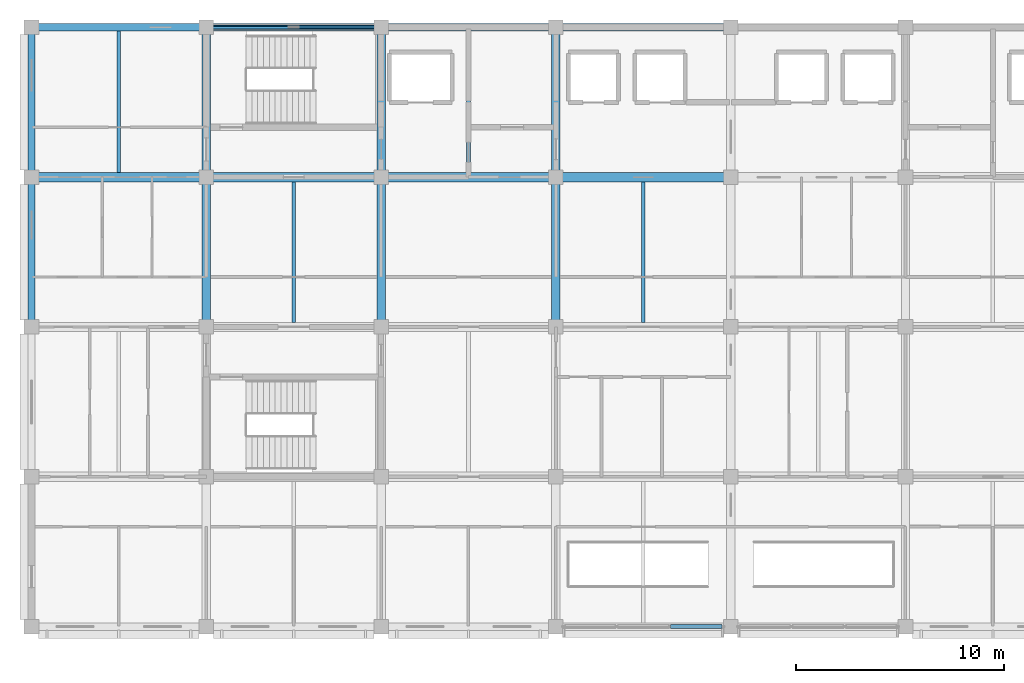
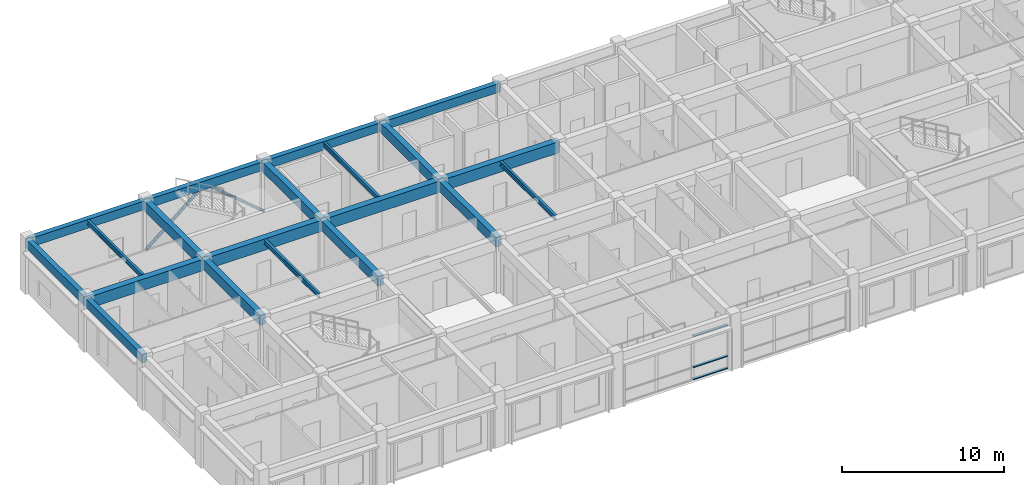
# One storey, part 3 of 17: 20 beams, 5 members, 1 element without a shape of its own.
"""IFC4 building model written with IfcOpenShell, lengths in metres."""

from ifc_helpers import new_model, si_unit, direction, frame, origin, origin_2d, place, context, subcontext, project, spatial, rectangle, hollow_circle, i_section, extrude, material, layer, layer_set, material_profile, profile_set, type_object, element, aggregate, save


model = new_model("IFC4")

# Units and contexts
model_context = context("Model", 3, precision=1e-05, world=origin(), true_north=direction((0.0, 1.0)))
body_context = subcontext(model_context, "Body", "Model", "MODEL_VIEW")
ifc_project = project(units=[si_unit("LENGTHUNIT", "METRE"), si_unit("AREAUNIT", "SQUARE_METRE"), si_unit("VOLUMEUNIT", "CUBIC_METRE"), si_unit("PLANEANGLEUNIT", "RADIAN"), si_unit("MASSUNIT", "GRAM", prefix="KILO")], contexts=[model_context])

# Site, building, storey
site_placement = place(None, origin())
site = spatial("IfcSite", under=ifc_project, at=site_placement, CompositionType="ELEMENT")
building_placement = place(site_placement, origin())
building = spatial("IfcBuilding", under=site, at=building_placement, Name="Chengyuan Square Courthouse", CompositionType="ELEMENT")
storey_placement = place(building_placement, frame((0.0, 0.0, 51.89990234375)))
storey = spatial("IfcBuildingStorey", under=building, at=storey_placement, Name="L12", CompositionType="ELEMENT", Elevation=51.89990234375)

# Beams
ifc_material_1 = material(Name="Concrete C40", Category="concrete")
ifc_material_profile_1 = material_profile(ifc_material_1, rectangle(XDim=0.449951171875, YDim=0.85009765625, at=origin_2d()), Name="RC-BM-450x850")
ifc_profile_set_1 = profile_set([ifc_material_profile_1], Name="Concrete C40")
beam_type_1 = type_object("IfcBeamType", Name="BM-01", PredefinedType="USERDEFINED", material=ifc_profile_set_1)
beam_1_placement = place(storey_placement, frame((50.39990234375, 100.800048828125, 3.53515625), z_axis=(1.0, 0.0, 0.0), x_axis=(0.0, 1.0, 0.0)))
element("IfcBeam", 1, at=beam_1_placement, inside=storey, type_object=beam_type_1, Name="Girder BM-L12-4270", ObjectType="GIRDER", PredefinedType="USERDEFINED", context=body_context, shape_type="SweptSolid", body=[
    extrude(rectangle(XDim=0.449951171875, YDim=0.85009765625, at=origin_2d()), origin(), (0.0, 0.0, 1.0), 8.400146484375),
])
beam_2_placement = place(storey_placement, frame((58.800048828125, 100.800048828125, 3.53515625), z_axis=(1.0, 0.0, 0.0), x_axis=(0.0, 1.0, 0.0)))
element("IfcBeam", 2, at=beam_2_placement, inside=storey, type_object=beam_type_1, Name="Girder BM-L12-4271", ObjectType="GIRDER", PredefinedType="USERDEFINED", context=body_context, shape_type="SweptSolid", body=[
    extrude(rectangle(XDim=0.449951171875, YDim=0.85009765625, at=origin_2d()), origin(), (0.0, 0.0, 1.0), 8.39990234375),
])
beam_3_placement = place(storey_placement, frame((67.199951171875, 100.800048828125, 3.53515625), z_axis=(1.0, 0.0, 0.0), x_axis=(0.0, 1.0, 0.0)))
element("IfcBeam", 3, at=beam_3_placement, inside=storey, type_object=beam_type_1, Name="Girder BM-L12-4272", ObjectType="GIRDER", PredefinedType="USERDEFINED", context=body_context, shape_type="SweptSolid", body=[
    extrude(rectangle(XDim=0.449951171875, YDim=0.85009765625, at=origin_2d()), origin(), (0.0, 0.0, 1.0), 8.400146484375),
])
beam_4_placement = place(storey_placement, frame((75.60009765625, 100.800048828125, 3.53515625), z_axis=(1.0, 0.0, 0.0), x_axis=(0.0, 1.0, 0.0)))
element("IfcBeam", 4, at=beam_4_placement, inside=storey, type_object=beam_type_1, Name="Girder BM-L12-4273", ObjectType="GIRDER", PredefinedType="USERDEFINED", context=body_context, shape_type="SweptSolid", body=[
    extrude(rectangle(XDim=0.449951171875, YDim=0.85009765625, at=origin_2d()), origin(), (0.0, 0.0, 1.0), 8.39990234375),
])
ifc_material_profile_2 = material_profile(ifc_material_1, rectangle(XDim=0.39990234375, YDim=0.75, at=origin_2d()), Name="RC-BM-400x750")
ifc_profile_set_2 = profile_set([ifc_material_profile_2], Name="Concrete C40")
beam_type_2 = type_object("IfcBeamType", Name="BM-02", PredefinedType="USERDEFINED", material=ifc_profile_set_2)
for number, where, z_axis, x_axis, name in (
    (5, (58.800048828125, 93.60009765625, 3.585205078125), (0.0, 1.0, 0.0), (-1.0, 0.0, 0.0), "Girder BM-L12-4292"),
    (6, (58.800048828125, 100.800048828125, 3.585205078125), (0.0, 1.0, 0.0), (-1.0, 0.0, 0.0), "Girder BM-L12-4293"),
    (7, (67.199951171875, 93.60009765625, 3.585205078125), (0.0, 1.0, 0.0), (-1.0, 0.0, 0.0), "Girder BM-L12-4296"),
    (8, (67.199951171875, 100.800048828125, 3.585205078125), (0.0, 1.0, 0.0), (-1.0, 0.0, 0.0), "Girder BM-L12-4297"),
    (9, (75.60009765625, 93.60009765625, 3.585205078125), (0.0, 1.0, 0.0), (-1.0, 0.0, 0.0), "Girder BM-L12-4300"),
    (10, (75.60009765625, 100.800048828125, 3.585205078125), (0.0, 1.0, 0.0), (-1.0, 0.0, 0.0), "Girder BM-L12-4301"),
):
    element("IfcBeam", number, at=place(storey_placement, frame(where, z_axis=z_axis, x_axis=x_axis)), inside=storey, type_object=beam_type_2, Name=name, ObjectType="GIRDER", PredefinedType="USERDEFINED", context=body_context, shape_type="SweptSolid", body=[
        extrude(rectangle(XDim=0.39990234375, YDim=0.75, at=origin_2d()), origin(), (0.0, 0.0, 1.0), 7.199951171875),
    ])
ifc_material_profile_3 = material_profile(ifc_material_1, rectangle(XDim=0.35009765625, YDim=0.64990234375, at=origin_2d()), Name="RC-BM-350x650")
ifc_profile_set_3 = profile_set([ifc_material_profile_3], Name="Concrete C40")
beam_type_3 = type_object("IfcBeamType", Name="BM-03", PredefinedType="SPANDREL", material=ifc_profile_set_3)
beam_5_placement = place(storey_placement, frame((50.39990234375, 108.0, 3.635009765625), z_axis=(1.0, 0.0, 0.0), x_axis=(0.0, 1.0, 0.0)))
element("IfcBeam", 11, at=beam_5_placement, inside=storey, type_object=beam_type_3, Name="Girder BM-L12-4278", PredefinedType="SPANDREL", context=body_context, shape_type="SweptSolid", body=[
    extrude(rectangle(XDim=0.35009765625, YDim=0.64990234375, at=origin_2d()), origin(), (0.0, 0.0, 1.0), 8.400146484375),
])
beam_6_placement = place(storey_placement, frame((58.800048828125, 108.0, 3.635009765625), z_axis=(1.0, 0.0, 0.0), x_axis=(0.0, 1.0, 0.0)))
element("IfcBeam", 12, at=beam_6_placement, inside=storey, type_object=beam_type_3, Name="Girder BM-L12-4279", PredefinedType="SPANDREL", context=body_context, shape_type="SweptSolid", body=[
    extrude(rectangle(XDim=0.35009765625, YDim=0.64990234375, at=origin_2d()), origin(), (0.0, 0.0, 1.0), 8.39990234375),
])
beam_7_placement = place(storey_placement, frame((67.199951171875, 108.0, 3.635009765625), z_axis=(1.0, 0.0, 0.0), x_axis=(0.0, 1.0, 0.0)))
element("IfcBeam", 13, at=beam_7_placement, inside=storey, type_object=beam_type_3, Name="Girder BM-L12-4280", PredefinedType="SPANDREL", context=body_context, shape_type="SweptSolid", body=[
    extrude(rectangle(XDim=0.35009765625, YDim=0.64990234375, at=origin_2d()), origin(), (0.0, 0.0, 1.0), 8.400146484375),
])
beam_8_placement = place(storey_placement, frame((75.60009765625, 108.0, 3.635009765625), z_axis=(1.0, 0.0, 0.0), x_axis=(0.0, 1.0, 0.0)))
element("IfcBeam", 14, at=beam_8_placement, inside=storey, type_object=beam_type_3, Name="Girder BM-L12-4281", PredefinedType="SPANDREL", context=body_context, shape_type="SweptSolid", body=[
    extrude(rectangle(XDim=0.35009765625, YDim=0.64990234375, at=origin_2d()), origin(), (0.0, 0.0, 1.0), 8.39990234375),
])
for number, where, z_axis, x_axis, name in (
    (15, (50.39990234375, 93.60009765625, 3.635009765625), (0.0, 1.0, 0.0), (-1.0, 0.0, 0.0), "Girder BM-L12-4288"),
    (16, (50.39990234375, 100.800048828125, 3.635009765625), (0.0, 1.0, 0.0), (-1.0, 0.0, 0.0), "Girder BM-L12-4289"),
):
    element("IfcBeam", number, at=place(storey_placement, frame(where, z_axis=z_axis, x_axis=x_axis)), inside=storey, type_object=beam_type_3, Name=name, PredefinedType="SPANDREL", context=body_context, shape_type="SweptSolid", body=[
        extrude(rectangle(XDim=0.35009765625, YDim=0.64990234375, at=origin_2d()), origin(), (0.0, 0.0, 1.0), 7.199951171875),
    ])
ifc_material_2 = material(Name="Steel Q355B", Category="steel")
ifc_material_profile_4 = material_profile(ifc_material_2, i_section(OverallWidth=0.175048828125, OverallDepth=0.35009765625, WebThickness=0.007080078125, FlangeThickness=0.010986328125, at=origin_2d()), Name="HN 350x175x7x11")
ifc_profile_set_4 = profile_set([ifc_material_profile_4], Name="Steel Q355B")
beam_type_4 = type_object("IfcBeamType", Name="BM-08", PredefinedType="BEAM", material=ifc_profile_set_4)
beam_9_placement = place(storey_placement, frame((54.60009765625, 101.02490234375, 3.78515625), z_axis=(0.0, 1.0, 0.0), x_axis=(-1.0, 0.0, 0.0)))
element("IfcBeam", 17, at=beam_9_placement, inside=storey, type_object=beam_type_4, Name="Secondary Floor Beam SBM-L12-4323", PredefinedType="BEAM", context=body_context, shape_type="SweptSolid", body=[
    extrude(i_section(OverallWidth=0.175048828125, OverallDepth=0.35009765625, WebThickness=0.007080078125, FlangeThickness=0.010986328125, at=origin_2d()), origin(), (0.0, 0.0, 1.0), 6.800048828125),
])
beam_10_placement = place(storey_placement, frame((63.0, 93.824951171875, 3.78515625), z_axis=(0.0, 1.0, 0.0), x_axis=(-1.0, 0.0, 0.0)))
element("IfcBeam", 18, at=beam_10_placement, inside=storey, type_object=beam_type_4, Name="Secondary Floor Beam SBM-L12-4325", PredefinedType="BEAM", context=body_context, shape_type="SweptSolid", body=[
    extrude(i_section(OverallWidth=0.175048828125, OverallDepth=0.35009765625, WebThickness=0.007080078125, FlangeThickness=0.010986328125, at=origin_2d()), origin(), (0.0, 0.0, 1.0), 6.75),
])
beam_11_placement = place(storey_placement, frame((71.39990234375, 101.02490234375, 3.78515625), z_axis=(0.0, 1.0, 0.0), x_axis=(-1.0, 0.0, 0.0)))
element("IfcBeam", 19, at=beam_11_placement, inside=storey, type_object=beam_type_4, Name="Secondary Floor Beam SBM-L12-4327", PredefinedType="BEAM", context=body_context, shape_type="SweptSolid", body=[
    extrude(i_section(OverallWidth=0.175048828125, OverallDepth=0.35009765625, WebThickness=0.007080078125, FlangeThickness=0.010986328125, at=origin_2d()), origin(), (0.0, 0.0, 1.0), 6.800048828125),
])
beam_12_placement = place(storey_placement, frame((79.800048828125, 93.824951171875, 3.78515625), z_axis=(0.0, 1.0, 0.0), x_axis=(-1.0, 0.0, 0.0)))
element("IfcBeam", 20, at=beam_12_placement, inside=storey, type_object=beam_type_4, Name="Secondary Floor Beam SBM-L12-4329", PredefinedType="BEAM", context=body_context, shape_type="SweptSolid", body=[
    extrude(i_section(OverallWidth=0.175048828125, OverallDepth=0.35009765625, WebThickness=0.007080078125, FlangeThickness=0.010986328125, at=origin_2d()), origin(), (0.0, 0.0, 1.0), 6.75),
])

# Members
ifc_material_profile_5 = material_profile(ifc_material_2, hollow_circle(Radius=0.109619140625, WallThickness=0.008056640625, at=origin_2d()), Name="CHS 219x8")
ifc_profile_set_5 = profile_set([ifc_material_profile_5], Name="Steel Q355B")
member_type_1 = type_object("IfcMemberType", Name="BR-02", PredefinedType="BRACE", material=ifc_profile_set_5)
for number, where, z_axis, x_axis, name in (
    (21, (58.800048828125, 108.0, 0.10009765625), (0.767317473151, 0.0, 0.641267413329), (0.0, 1.0, 0.0), "Steel Chevron Brace BR-L12-045"),
    (22, (67.199951171875, 108.0, 0.10009765625), (-0.767317473151, 0.0, 0.641267413329), (0.0, -1.0, 0.0), "Steel Chevron Brace BR-L12-046"),
):
    element("IfcMember", number, at=place(storey_placement, frame(where, z_axis=z_axis, x_axis=x_axis)), inside=storey, type_object=member_type_1, Name=name, PredefinedType="BRACE", context=body_context, shape_type="SweptSolid", body=[
        extrude(hollow_circle(Radius=0.109619140625, WallThickness=0.008056640625, at=origin_2d()), origin(), (0.0, 0.0, 1.0), 5.4736328125),
    ])

# Curtain wall, members
ifc_material_3 = material(Name="Unitised Aluminium and Triple Low-E Glass", Category="aluminium")
ifc_layer = layer(ifc_material_3, 0.179931640625)
ifc_layer_set = layer_set([ifc_layer], Name="Unitised Aluminium and Triple Low-E Glass")
curtain_wall_type = type_object("IfcCurtainWallType", Name="CW-10", PredefinedType="USERDEFINED", material=ifc_layer_set)
curtain_wall_placement = place(storey_placement, origin())
curtain_wall = element("IfcCurtainWall", 23, at=curtain_wall_placement, inside=storey, type_object=curtain_wall_type, Name="Unitised Curtain Wall CW-L12-264", ObjectType="UNITISED CURTAIN WALL", PredefinedType="USERDEFINED")
ifc_material_4 = material(Name="Aluminium 6063-T6 Frame", Category="aluminium")
ifc_material_profile_6 = material_profile(ifc_material_4, rectangle(XDim=0.179931640625, YDim=0.06494140625, at=origin_2d()), Name="CW-TRN-65x140")
ifc_profile_set_6 = profile_set([ifc_material_profile_6], Name="Aluminium 6063-T6 Frame")
member_type_2 = type_object("IfcMemberType", Name="CWT-02", PredefinedType="USERDEFINED", material=ifc_profile_set_6)
member_1_placement = place(storey_placement, frame((81.11572265625, 79.199951171875, 0.03271484375), z_axis=(1.0, 0.0, 0.0), x_axis=(0.0, 1.0, 0.0)))
member_1 = element("IfcMember", 24, at=member_1_placement, type_object=member_type_2, Name="CW-10 transom 3.1", ObjectType="TRANSOM", PredefinedType="USERDEFINED", context=body_context, shape_type="SweptSolid", body=[
    extrude(rectangle(XDim=0.179931640625, YDim=0.06494140625, at=origin_2d()), origin(), (0.0, 0.0, 1.0), 2.46923828125),
])
member_2_placement = place(storey_placement, frame((81.11572265625, 79.199951171875, 0.9501953125), z_axis=(1.0, 0.0, 0.0), x_axis=(0.0, 1.0, 0.0)))
member_2 = element("IfcMember", 25, at=member_2_placement, type_object=member_type_2, Name="CW-10 transom 3.2", ObjectType="TRANSOM", PredefinedType="USERDEFINED", context=body_context, shape_type="SweptSolid", body=[
    extrude(rectangle(XDim=0.179931640625, YDim=0.06494140625, at=origin_2d()), origin(), (0.0, 0.0, 1.0), 2.46923828125),
])
member_3_placement = place(storey_placement, frame((81.11572265625, 79.199951171875, 3.277587890625), z_axis=(1.0, 0.0, 0.0), x_axis=(0.0, 1.0, 0.0)))
member_3 = element("IfcMember", 26, at=member_3_placement, type_object=member_type_2, Name="CW-10 transom 3.3", ObjectType="TRANSOM", PredefinedType="USERDEFINED", context=body_context, shape_type="SweptSolid", body=[
    extrude(rectangle(XDim=0.179931640625, YDim=0.06494140625, at=origin_2d()), origin(), (0.0, 0.0, 1.0), 2.46923828125),
])
aggregate(curtain_wall, [member_1, member_2, member_3])

save(model, "model.ifc")
